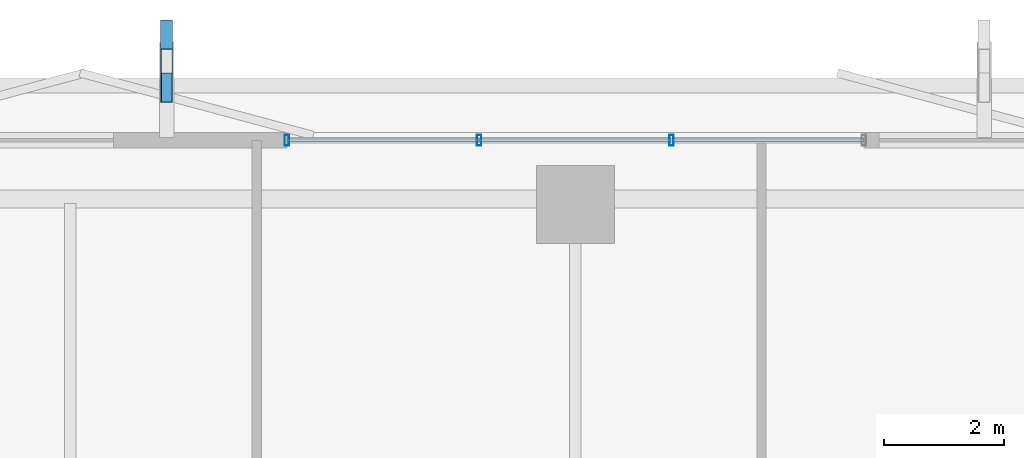
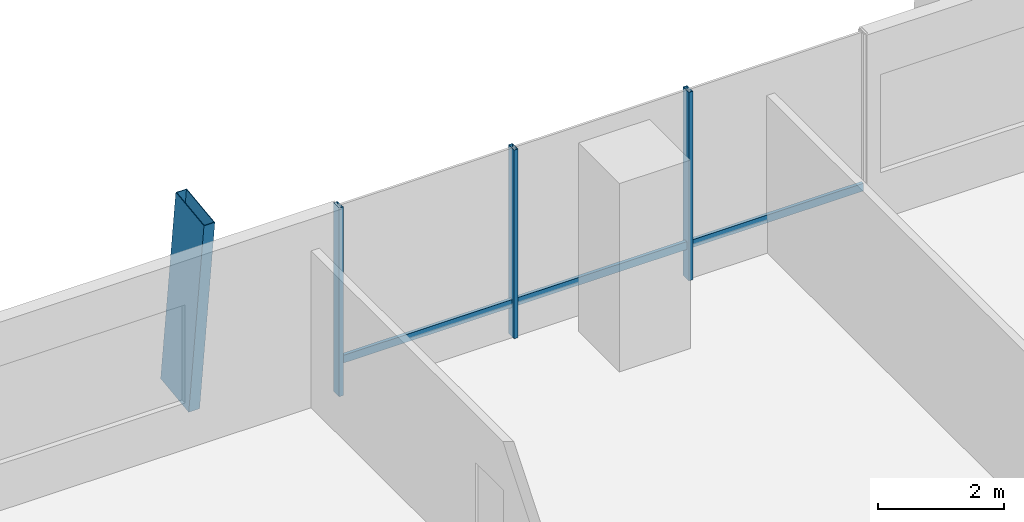
# One storey, part 22 of 34: 7 members, 1 element without a shape of its own.
"""IFC4 building model written with IfcOpenShell, lengths in metres."""

from ifc_helpers import new_model, si_unit, direction, frame, origin, origin_2d, place, context, subcontext, project, spatial, hollow_rectangle, extrude, material, layer, layer_set, material_profile, profile_set, type_object, element, aggregate, save


model = new_model("IFC4")

# Units and contexts
model_context = context("Model", 3, precision=1e-05, world=origin(), true_north=direction((0.0, 1.0)))
body_context = subcontext(model_context, "Body", "Model", "MODEL_VIEW")
ifc_project = project(units=[si_unit("LENGTHUNIT", "METRE"), si_unit("AREAUNIT", "SQUARE_METRE"), si_unit("VOLUMEUNIT", "CUBIC_METRE"), si_unit("PLANEANGLEUNIT", "RADIAN"), si_unit("MASSUNIT", "GRAM", prefix="KILO")], contexts=[model_context])

# Site, building, storey
site_placement = place(None, origin())
site = spatial("IfcSite", under=ifc_project, at=site_placement, CompositionType="ELEMENT")
building_placement = place(site_placement, origin())
building = spatial("IfcBuilding", under=site, at=building_placement, Name="Belovzor Exchange Tower", CompositionType="ELEMENT")
storey_placement = place(building_placement, frame((0.0, 0.0, 113.39990234375)))
storey = spatial("IfcBuildingStorey", under=building, at=storey_placement, Name="L27", CompositionType="ELEMENT", Elevation=113.39990234375)

# Member
ifc_material_1 = material(Name="Extruded Architectural Terracotta on Steel S355 Carrier", Category="masonry")
ifc_material_profile_1 = material_profile(ifc_material_1, hollow_rectangle(XDim=0.199951171875, YDim=0.89990234375, WallThickness=0.011962890625, at=origin_2d()))
ifc_profile_set_1 = profile_set([ifc_material_profile_1], Name="Extruded Architectural Terracotta on Steel S355 Carrier")
member_type_1 = type_object("IfcMemberType", Name="Sweeping Terracotta Baguette Fin Assembly 1250", PredefinedType="USERDEFINED", material=ifc_profile_set_1)
member_1_placement = place(storey_placement, frame((22.0, 56.324951171875, -0.25), z_axis=(0.0, -0.122880110894, 0.992421522513), x_axis=(1.0, 0.0, 0.0)))
element("IfcMember", 1, at=member_1_placement, inside=storey, type_object=member_type_1, Name="FIN-TC125 Terracotta Facade Fin L27 N2", ObjectType="FIN", PredefinedType="USERDEFINED", context=body_context, shape_type="SweptSolid", body=[
    extrude(hollow_rectangle(XDim=0.199951171875, YDim=0.89990234375, WallThickness=0.011962890625, at=origin_2d()), origin(), (0.0, 0.0, 1.0), 3.929931640625),
])

# Curtain wall, members
ifc_material_2 = material(Name="Anodised Aluminium Framing", Category="aluminium")
ifc_layer = layer(ifc_material_2, 0.179931640625)
ifc_layer_set = layer_set([ifc_layer], Name="Anodised Aluminium Framing")
curtain_wall_type = type_object("IfcCurtainWallType", Name="Recessed Loggia Low-Iron Triple-Glazed Curtain Wall", PredefinedType="NOTDEFINED", material=ifc_layer_set)
curtain_wall_placement = place(storey_placement, origin())
curtain_wall = element("IfcCurtainWall", 2, at=curtain_wall_placement, inside=storey, type_object=curtain_wall_type, Name="CW3 Recessed Loggia Low-Iron Triple-Glazed Curtain Wall L27", PredefinedType="NOTDEFINED")
ifc_material_3 = material(Name="Steel S355", Category="steel")
ifc_material_profile_2 = material_profile(ifc_material_3, hollow_rectangle(XDim=0.074951171875, YDim=0.179931640625, WallThickness=0.0048828125, at=origin_2d()))
ifc_profile_set_2 = profile_set([ifc_material_profile_2], Name="Steel S355")
member_type_2 = type_object("IfcMemberType", Name="Thermally Broken Curtain Wall Mullion 180x75", PredefinedType="MULLION", material=ifc_profile_set_2)
member_2_placement = place(storey_placement, frame((24.0, 54.77001953125, 0.0), z_axis=(0.0, 0.0, 1.0), x_axis=(1.0, 0.0, 0.0)))
member_2 = element("IfcMember", 3, at=member_2_placement, type_object=member_type_2, Name="CW-M180 Curtain Wall Mullion 1", PredefinedType="MULLION", context=body_context, shape_type="SweptSolid", body=[
    extrude(hollow_rectangle(XDim=0.074951171875, YDim=0.179931640625, WallThickness=0.0048828125, at=origin_2d()), origin(), (0.0, 0.0, 1.0), 3.650146484375),
])
member_3_placement = place(storey_placement, frame((27.199951171875, 54.77001953125, 0.0), z_axis=(0.0, 0.0, 1.0), x_axis=(1.0, 0.0, 0.0)))
member_3 = element("IfcMember", 4, at=member_3_placement, type_object=member_type_2, Name="CW-M180 Curtain Wall Mullion 2", PredefinedType="MULLION", context=body_context, shape_type="SweptSolid", body=[
    extrude(hollow_rectangle(XDim=0.074951171875, YDim=0.179931640625, WallThickness=0.0048828125, at=origin_2d()), origin(), (0.0, 0.0, 1.0), 3.650146484375),
])
member_4_placement = place(storey_placement, frame((30.39990234375, 54.77001953125, 0.0), z_axis=(0.0, 0.0, 1.0), x_axis=(1.0, 0.0, 0.0)))
member_4 = element("IfcMember", 5, at=member_4_placement, type_object=member_type_2, Name="CW-M180 Curtain Wall Mullion 3", PredefinedType="MULLION", context=body_context, shape_type="SweptSolid", body=[
    extrude(hollow_rectangle(XDim=0.074951171875, YDim=0.179931640625, WallThickness=0.0048828125, at=origin_2d()), origin(), (0.0, 0.0, 1.0), 3.650146484375),
])
ifc_material_4 = material(Name="Steel S355", Category="steel")
ifc_material_profile_3 = material_profile(ifc_material_4, hollow_rectangle(XDim=0.06005859375, YDim=0.14990234375, WallThickness=0.00390625, at=origin_2d()))
ifc_profile_set_3 = profile_set([ifc_material_profile_3], Name="Steel S355")
member_type_3 = type_object("IfcMemberType", Name="Thermally Broken Curtain Wall Transom 150x60", PredefinedType="USERDEFINED", material=ifc_profile_set_3)
member_5_placement = place(storey_placement, frame((24.008056640625, 54.77001953125, 0.650146484375), z_axis=(1.0, 0.0, 0.0), x_axis=(0.0, 1.0, 0.0)))
member_5 = element("IfcMember", 6, at=member_5_placement, type_object=member_type_3, Name="CW-T150 Curtain Wall Transom 1", ObjectType="TRANSOM", PredefinedType="USERDEFINED", context=body_context, shape_type="SweptSolid", body=[
    extrude(hollow_rectangle(XDim=0.06005859375, YDim=0.14990234375, WallThickness=0.00390625, at=origin_2d()), origin(), (0.0, 0.0, 1.0), 3.183837890625),
])
member_6_placement = place(storey_placement, frame((27.2080078125, 54.77001953125, 0.650146484375), z_axis=(1.0, 0.0, 0.0), x_axis=(0.0, 1.0, 0.0)))
member_6 = element("IfcMember", 7, at=member_6_placement, type_object=member_type_3, Name="CW-T150 Curtain Wall Transom 2", ObjectType="TRANSOM", PredefinedType="USERDEFINED", context=body_context, shape_type="SweptSolid", body=[
    extrude(hollow_rectangle(XDim=0.06005859375, YDim=0.14990234375, WallThickness=0.00390625, at=origin_2d()), origin(), (0.0, 0.0, 1.0), 3.18408203125),
])
member_7_placement = place(storey_placement, frame((30.407958984375, 54.77001953125, 0.650146484375), z_axis=(1.0, 0.0, 0.0), x_axis=(0.0, 1.0, 0.0)))
member_7 = element("IfcMember", 8, at=member_7_placement, type_object=member_type_3, Name="CW-T150 Curtain Wall Transom 3", ObjectType="TRANSOM", PredefinedType="USERDEFINED", context=body_context, shape_type="SweptSolid", body=[
    extrude(hollow_rectangle(XDim=0.06005859375, YDim=0.14990234375, WallThickness=0.00390625, at=origin_2d()), origin(), (0.0, 0.0, 1.0), 3.18408203125),
])
aggregate(curtain_wall, [member_2, member_3, member_4, member_5, member_6, member_7])

save(model, "model.ifc")
